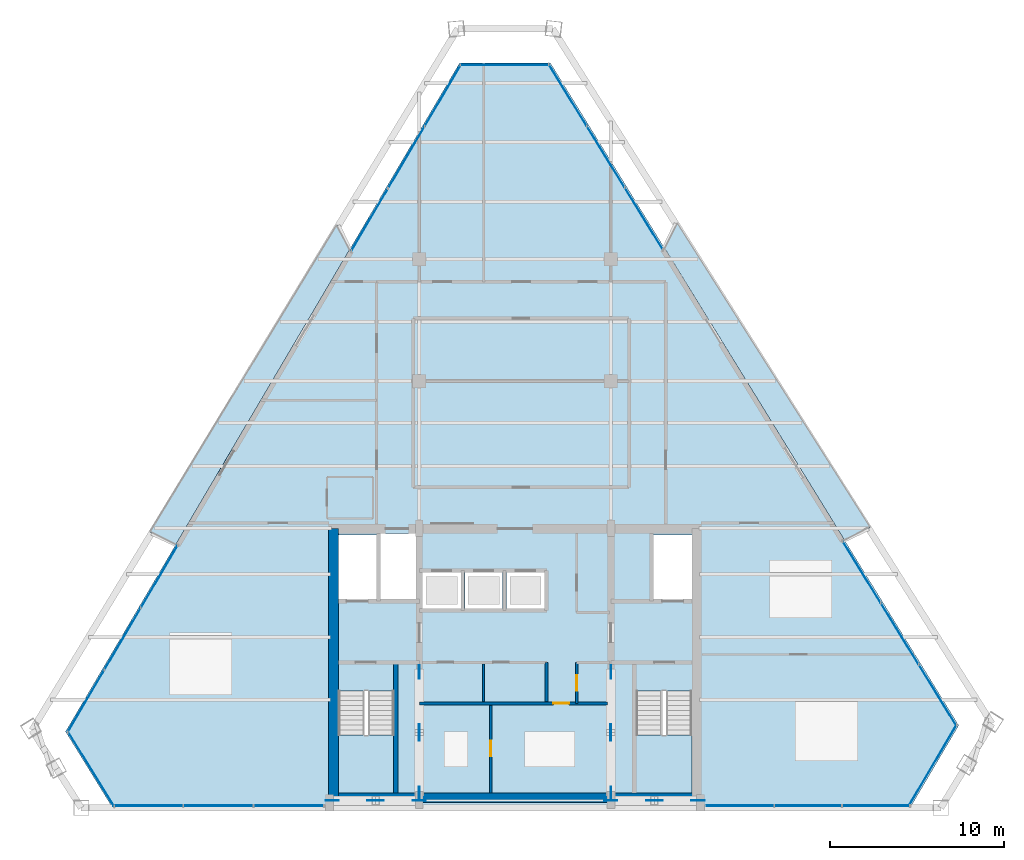
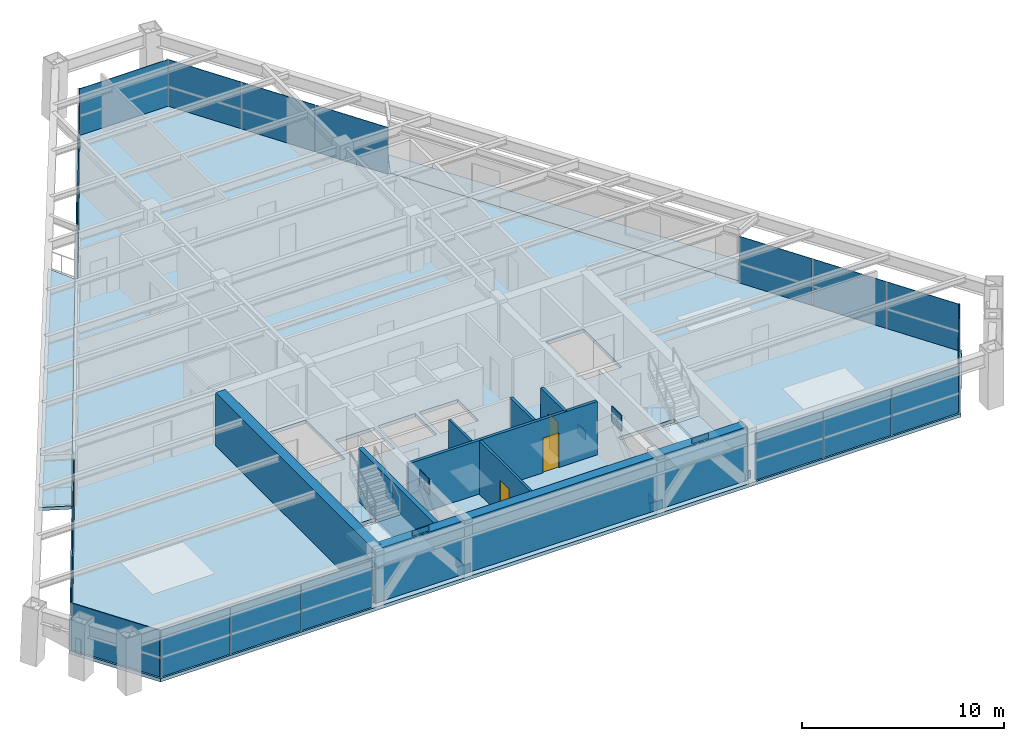
# One storey, part 8 of 14: 33 plates, 8 walls, 5 slabs, 3 doors, 3 openings, 11 elements without a shape of their own.
"""IFC4 building model written with IfcOpenShell, lengths in metres."""

from ifc_helpers import new_model, si_unit, direction, frame, frame_2d, origin, origin_2d, place, context, subcontext, project, spatial, polyline, rectangle, outline, extrude, source, transform, mapped, material, layer, layer_set, type_object, type_shapes, element, fill, aggregate, save


model = new_model("IFC4")

# Units and contexts
model_context = context("Model", 3, precision=1e-05, world=origin(), true_north=direction((0.0, 1.0)))
body_context = subcontext(model_context, "Body", "Model", "MODEL_VIEW")
ifc_project = project(units=[si_unit("LENGTHUNIT", "METRE"), si_unit("AREAUNIT", "SQUARE_METRE"), si_unit("VOLUMEUNIT", "CUBIC_METRE"), si_unit("PLANEANGLEUNIT", "RADIAN"), si_unit("MASSUNIT", "GRAM", prefix="KILO")], contexts=[model_context])

# Site, building, storey
site_placement = place(None, origin())
site = spatial("IfcSite", under=ifc_project, at=site_placement, CompositionType="ELEMENT")
building_placement = place(site_placement, origin())
building = spatial("IfcBuilding", under=site, at=building_placement, Name="Varnakhor Terracotta Tower", CompositionType="ELEMENT")
storey_placement = place(building_placement, frame((0.0, 0.0, 240.699951171875)))
storey = spatial("IfcBuildingStorey", under=building, at=storey_placement, Name="L62", CompositionType="ELEMENT", Elevation=240.699951171875)

# Slab
ifc_material_1 = material(Name="Concrete C40/50", Category="concrete")
ifc_layer_1 = layer(ifc_material_1, 0.2099609375, Name="Concrete C40/50")
ifc_layer_set_1 = layer_set([ifc_layer_1], Name="Concrete C40/50")
slab_type_1 = type_object("IfcSlabType", Name="SLB-HTL-210", PredefinedType="FLOOR", material=ifc_layer_set_1)
slab_1_placement = place(storey_placement, frame((0.0, 0.0, -0.2099609375)))
element("IfcSlab", 1, at=slab_1_placement, inside=storey, type_object=slab_type_1, Name="L62 Structural Floor Slab", PredefinedType="FLOOR", context=body_context, shape_type="SweptSolid", body=[
    extrude(outline(polyline([(-25.8046875, 4.378662109375), (-3.181640625, 42.767333984375), (2.022705078125, 42.767333984375), (25.467041015625, 4.73388671875), (22.67724609375, 0.0), (-23.105712890625, 0.0), (-25.8046875, 4.378662109375)]), holes=[polyline([(-6.949951171875, 0.85009765625), (-6.949951171875, 6.695068359375), (-10.14990234375, 6.695068359375), (-10.14990234375, 0.85009765625), (-6.949951171875, 0.85009765625)]), polyline([(10.14990234375, 0.85009765625), (10.14990234375, 6.695068359375), (6.949951171875, 6.695068359375), (6.949951171875, 0.85009765625), (10.14990234375, 0.85009765625)]), polyline([(-3.10009765625, 11.419921875), (-3.10009765625, 13.52001953125), (-5.300048828125, 13.52001953125), (-5.300048828125, 11.419921875), (-3.10009765625, 11.419921875)]), polyline([(-0.719970703125, 11.419921875), (-0.719970703125, 13.52001953125), (-2.8798828125, 13.52001953125), (-2.8798828125, 11.419921875), (-0.719970703125, 11.419921875)]), polyline([(1.699951171875, 11.419921875), (1.699951171875, 13.52001953125), (-0.5, 13.52001953125), (-0.5, 11.419921875), (1.699951171875, 11.419921875)]), polyline([(-7.949951171875, 11.8798828125), (-7.949951171875, 15.64990234375), (-10.14990234375, 15.64990234375), (-10.14990234375, 11.8798828125), (-7.949951171875, 11.8798828125)]), polyline([(10.14990234375, 11.8798828125), (10.14990234375, 15.64990234375), (7.949951171875, 15.64990234375), (7.949951171875, 11.8798828125), (10.14990234375, 11.8798828125)]), polyline([(-5.699951171875, 11.8798828125), (-5.699951171875, 15.75), (-7.72998046875, 15.75), (-7.72998046875, 11.8798828125), (-5.699951171875, 11.8798828125)])]), origin(), (0.0, 0.0, 1.0), 0.2099609375),
])

# Stair, slab
stair_type = type_object("IfcStairType", Name="STR-CORE-HOTEL-1500", PredefinedType="HALF_TURN_STAIR", material=ifc_material_1)
stair_1_placement = place(storey_placement, origin())
stair_1 = element("IfcStair", 2, at=stair_1_placement, inside=storey, type_object=stair_type, Name="L62 Core Exit Stair ST-1", PredefinedType="HALF_TURN_STAIR")
ifc_layer_2 = layer(ifc_material_1, 0.179931640625, Name="Concrete C40/50")
ifc_layer_set_2 = layer_set([ifc_layer_2], Name="Concrete C40/50")
slab_type_2 = type_object("IfcSlabType", Name="SLB-LANDING-180", PredefinedType="LANDING", material=ifc_layer_set_2)
slab_2_placement = place(storey_placement, frame((0.0, 0.0, 1.525146484375)))
slab_2 = element("IfcSlab", 3, at=slab_2_placement, type_object=slab_type_2, Name="ST-1 landing 1", PredefinedType="LANDING", context=body_context, shape_type="SweptSolid", body=[
    extrude(outline(polyline([(-10.14990234375, 4.18994140625), (-10.14990234375, 0.85009765625), (-6.949951171875, 0.85009765625), (-6.949951171875, 4.18994140625), (-10.14990234375, 4.18994140625)])), origin(), (0.0, 0.0, 1.0), 0.199951171875),
])
aggregate(stair_1, [slab_2])

stair_2_placement = place(storey_placement, origin())
stair_2 = element("IfcStair", 4, at=stair_2_placement, inside=storey, type_object=stair_type, Name="L62 Core Exit Stair ST-2", PredefinedType="HALF_TURN_STAIR")
slab_3_placement = place(storey_placement, frame((0.0, 0.0, 1.525146484375)))
slab_3 = element("IfcSlab", 5, at=slab_3_placement, type_object=slab_type_2, Name="ST-2 landing 1", PredefinedType="LANDING", context=body_context, shape_type="SweptSolid", body=[
    extrude(outline(polyline([(6.949951171875, 4.18994140625), (6.949951171875, 0.85009765625), (10.14990234375, 0.85009765625), (10.14990234375, 4.18994140625), (6.949951171875, 4.18994140625)])), origin(), (0.0, 0.0, 1.0), 0.199951171875),
])
aggregate(stair_2, [slab_3])

# Slabs
ifc_layer_3 = layer(ifc_material_1, 0.195068359375, Name="Concrete C40/50")
ifc_layer_set_3 = layer_set([ifc_layer_3], Name="Concrete C40/50")
slab_type_3 = type_object("IfcSlabType", Name="SLB-LOGGIA-EXT-195", PredefinedType="FLOOR", material=ifc_layer_set_3)
slab_4_placement = place(storey_placement, frame((0.0, 0.0, -0.195068359375)))
element("IfcSlab", 6, at=slab_4_placement, inside=storey, type_object=slab_type_3, Name="L62 E Recessed Outdoor Loggia Slab", PredefinedType="FLOOR", context=body_context, shape_type="SweptSolid", body=[
    extrude(outline(polyline([(9.286376953125, 33.584716796875), (20.3837890625, 16.085693359375), (18.902587890625, 15.38330078125), (8.587158203125, 32.117919921875), (9.286376953125, 33.584716796875)])), origin(), (0.0, 0.0, 1.0), 0.195068359375),
])
slab_5_placement = place(storey_placement, frame((0.0, 0.0, -0.195068359375)))
element("IfcSlab", 7, at=slab_5_placement, inside=storey, type_object=slab_type_3, Name="L62 W Recessed Outdoor Loggia Slab", PredefinedType="FLOOR", context=body_context, shape_type="SweptSolid", body=[
    extrude(outline(polyline([(-20.96337890625, 15.818115234375), (-10.219970703125, 33.480712890625), (-9.51611328125, 32.0185546875), (-15.705078125, 21.516357421875), (-19.47021484375, 15.12744140625), (-20.96337890625, 15.818115234375)])), origin(), (0.0, 0.0, 1.0), 0.195068359375),
])

# Plates
ifc_material_2 = material(Name="Steel S460", Category="steel")
ifc_layer_4 = layer(ifc_material_2, 0.050048828125, Name="Steel S460")
ifc_layer_set_4 = layer_set([ifc_layer_4], Name="Steel S460")
plate_type_1 = type_object("IfcPlateType", Name="PLT-GUSSET-50", PredefinedType="USERDEFINED", material=ifc_layer_set_4)
shared_shape_1 = source(origin(), body_context, "Body", "SweptSolid", [
    extrude(rectangle(XDim=0.75, YDim=0.0400390625, at=origin_2d()), origin(), (0.0, 0.0, 1.0), 0.550048828125),
])
type_shapes(plate_type_1, [shared_shape_1])
for number, where, z_axis, x_axis, name in (
    (8, (-10.5, 0.419921875, -0.09521484375), (0.0, 0.0, 1.0), (1.0, 0.0, 0.0), "L62 Core Brace Embed Plate CSWA"),
    (9, (-5.5, 0.419921875, -0.09521484375), (0.0, 0.0, 1.0), (1.0, 0.0, 0.0), "L62 Core Brace Embed Plate CSWB"),
    (10, (5.5, 0.419921875, -0.09521484375), (0.0, 0.0, 1.0), (1.0, 0.0, 0.0), "L62 Core Brace Embed Plate CSEA"),
    (11, (10.5, 0.419921875, -0.09521484375), (0.0, 0.0, 1.0), (1.0, 0.0, 0.0), "L62 Core Brace Embed Plate CSEB"),
    (12, (-5.5, 0.85009765625, -0.09521484375), (0.0, 0.0, 1.0), (0.0, 1.0, 0.0), "L62 Core Brace Embed Plate CWWA"),
    (13, (-5.5, 7.800048828125, -0.09521484375), (0.0, 0.0, 1.0), (0.0, 1.0, 0.0), "L62 Core Brace Embed Plate CWWB"),
    (14, (5.5, 0.85009765625, -0.09521484375), (0.0, 0.0, 1.0), (0.0, 1.0, 0.0), "L62 Core Brace Embed Plate CWEA"),
    (15, (5.5, 7.800048828125, -0.09521484375), (0.0, 0.0, 1.0), (0.0, 1.0, 0.0), "L62 Core Brace Embed Plate CWEB"),
):
    element("IfcPlate", number, at=place(storey_placement, frame(where, z_axis=z_axis, x_axis=x_axis)), inside=storey, type_object=plate_type_1, Name=name, ObjectType="GUSSET PLATE", PredefinedType="USERDEFINED", context=body_context, shape_type="MappedRepresentation", body=[
        mapped(shared_shape_1, transform((0.0, 0.0, 0.0), scale=1.0)),
    ])
shared_shape_2 = source(origin(), body_context, "Body", "SweptSolid", [
    extrude(rectangle(XDim=0.949951171875, YDim=0.044921875, at=origin_2d()), origin(), (0.0, 0.0, 1.0), 0.949951171875),
])
for number, where, z_axis, x_axis, name in (
    (16, (-8.0, 0.419921875, 2.615234375), (0.0, 0.0, 1.0), (1.0, 0.0, 0.0), "L62 Core Brace Apex Gusset CSW"),
    (17, (8.0, 0.419921875, 2.615234375), (0.0, 0.0, 1.0), (1.0, 0.0, 0.0), "L62 Core Brace Apex Gusset CSE"),
    (18, (-5.5, 4.324951171875, 2.615234375), (0.0, 0.0, 1.0), (0.0, 1.0, 0.0), "L62 Core Brace Apex Gusset CWW"),
    (19, (5.5, 4.324951171875, 2.615234375), (0.0, 0.0, 1.0), (0.0, 1.0, 0.0), "L62 Core Brace Apex Gusset CWE"),
):
    element("IfcPlate", number, at=place(storey_placement, frame(where, z_axis=z_axis, x_axis=x_axis)), inside=storey, type_object=plate_type_1, Name=name, ObjectType="GUSSET PLATE", PredefinedType="USERDEFINED", context=body_context, shape_type="MappedRepresentation", body=[
        mapped(shared_shape_2, transform((0.0, 0.0, 0.0), scale=1.0)),
    ])

# Curtain wall, plates
ifc_material_3 = material(Name="Anodised Aluminium Curtain Wall System", Category="aluminium")
curtain_wall_type = type_object("IfcCurtainWallType", Name="CW-SYS-HOTEL-LOGGIA", PredefinedType="NOTDEFINED", material=ifc_material_3)
curtain_wall_1_placement = place(storey_placement, origin())
curtain_wall_1 = element("IfcCurtainWall", 20, at=curtain_wall_1_placement, inside=storey, type_object=curtain_wall_type, Name="L62 W Facet Curtain Wall 1", PredefinedType="NOTDEFINED")
ifc_material_4 = material(Name="Solar-Control Low-E Insulated Glass Panel", Category="glass")
ifc_layer_5 = layer(ifc_material_4, 0.033935546875, Name="Solar-Control Low-E Insulated Glass Panel")
ifc_layer_set_5 = layer_set([ifc_layer_5], Name="Solar-Control Low-E Insulated Glass Panel")
plate_type_2 = type_object("IfcPlateType", Name="CWP-04", PredefinedType="CURTAIN_PANEL", material=ifc_layer_set_5)
shared_shape_3 = source(origin(), body_context, "Body", "SweptSolid", [
    extrude(rectangle(XDim=4.098876953125, YDim=0.035888671875, at=origin_2d()), origin(), (0.0, 0.0, 1.0), 2.820068359375),
])
plate_1_placement = place(storey_placement, frame((-24.635498046875, 6.12646484375, 0.0), z_axis=(0.0, 0.0, 1.0), x_axis=(0.507718811017, 0.861522842958, 0.0)))
plate_1 = element("IfcPlate", 21, at=plate_1_placement, type_object=plate_type_2, Name="L62 W Facet Curtain Wall 1 Glazed Panel 1", PredefinedType="CURTAIN_PANEL", context=body_context, shape_type="MappedRepresentation", body=[
    mapped(shared_shape_3, transform((0.0, 0.0, 0.0), scale=1.0)),
])
plate_2_placement = place(storey_placement, frame((-22.5341796875, 9.692138671875, 0.0), z_axis=(0.0, 0.0, 1.0), x_axis=(0.507718811017, 0.861522842958, 0.0)))
plate_2 = element("IfcPlate", 22, at=plate_2_placement, type_object=plate_type_2, Name="L62 W Facet Curtain Wall 1 Glazed Panel 2", PredefinedType="CURTAIN_PANEL", context=body_context, shape_type="MappedRepresentation", body=[
    mapped(shared_shape_3, transform((0.0, 0.0, 0.0), scale=1.0)),
])
plate_3_placement = place(storey_placement, frame((-20.432861328125, 13.2578125, 0.0), z_axis=(0.0, 0.0, 1.0), x_axis=(0.507718811017, 0.861522842958, 0.0)))
plate_3 = element("IfcPlate", 23, at=plate_3_placement, type_object=plate_type_2, Name="L62 W Facet Curtain Wall 1 Glazed Panel 3", PredefinedType="CURTAIN_PANEL", context=body_context, shape_type="MappedRepresentation", body=[
    mapped(shared_shape_3, transform((0.0, 0.0, 0.0), scale=1.0)),
])
aggregate(curtain_wall_1, [plate_1, plate_2, plate_3])

curtain_wall_2_placement = place(storey_placement, origin())
curtain_wall_2 = element("IfcCurtainWall", 24, at=curtain_wall_2_placement, inside=storey, type_object=curtain_wall_type, Name="L62 W Facet Curtain Wall 2", PredefinedType="NOTDEFINED")
plate_4_placement = place(storey_placement, frame((-8.346923828125, 33.76611328125, 0.0), z_axis=(0.0, 0.0, 1.0), x_axis=(0.507718811017, 0.861522842958, 0.0)))
plate_4 = element("IfcPlate", 25, at=plate_4_placement, type_object=plate_type_2, Name="L62 W Facet Curtain Wall 2 Glazed Panel 1", PredefinedType="CURTAIN_PANEL", context=body_context, shape_type="MappedRepresentation", body=[
    mapped(shared_shape_3, transform((0.0, 0.0, 0.0), scale=1.0)),
])
plate_5_placement = place(storey_placement, frame((-6.24560546875, 37.33203125, 0.0), z_axis=(0.0, 0.0, 1.0), x_axis=(0.507718811017, 0.861522842958, 0.0)))
plate_5 = element("IfcPlate", 26, at=plate_5_placement, type_object=plate_type_2, Name="L62 W Facet Curtain Wall 2 Glazed Panel 2", PredefinedType="CURTAIN_PANEL", context=body_context, shape_type="MappedRepresentation", body=[
    mapped(shared_shape_3, transform((0.0, 0.0, 0.0), scale=1.0)),
])
plate_6_placement = place(storey_placement, frame((-4.144287109375, 40.897705078125, 0.0), z_axis=(0.0, 0.0, 1.0), x_axis=(0.507718811017, 0.861522842958, 0.0)))
plate_6 = element("IfcPlate", 27, at=plate_6_placement, type_object=plate_type_2, Name="L62 W Facet Curtain Wall 2 Glazed Panel 3", PredefinedType="CURTAIN_PANEL", context=body_context, shape_type="MappedRepresentation", body=[
    mapped(shared_shape_3, transform((0.0, 0.0, 0.0), scale=1.0)),
])
aggregate(curtain_wall_2, [plate_4, plate_5, plate_6])

# Curtain wall, plate
curtain_wall_3_placement = place(storey_placement, origin())
curtain_wall_3 = element("IfcCurtainWall", 28, at=curtain_wall_3_placement, inside=storey, type_object=curtain_wall_type, Name="L62 Facet Curtain Wall 2", PredefinedType="NOTDEFINED")
shared_shape_4 = source(origin(), body_context, "Body", "SweptSolid", [
    extrude(rectangle(XDim=5.1044921875, YDim=0.035888671875, at=origin_2d()), origin(), (0.0, 0.0, 1.0), 2.820068359375),
])
plate_7_placement = place(storey_placement, frame((-0.57958984375, 42.647216796875, 0.0), z_axis=(0.0, 0.0, 1.0), x_axis=(1.0, 0.0, 0.0)))
plate_7 = element("IfcPlate", 29, at=plate_7_placement, type_object=plate_type_2, Name="L62 Facet Curtain Wall 2 Glazed Panel 1", PredefinedType="CURTAIN_PANEL", context=body_context, shape_type="MappedRepresentation", body=[
    mapped(shared_shape_4, transform((0.0, 0.0, 0.0), scale=1.0)),
])
aggregate(curtain_wall_3, [plate_7])

# Curtain wall, plates
curtain_wall_4_placement = place(storey_placement, origin())
curtain_wall_4 = element("IfcCurtainWall", 30, at=curtain_wall_4_placement, inside=storey, type_object=curtain_wall_type, Name="L62 E Facet Curtain Wall 1", PredefinedType="NOTDEFINED")
shared_shape_5 = source(origin(), body_context, "Body", "SweptSolid", [
    extrude(rectangle(XDim=4.110107421875, YDim=0.035888671875, at=origin_2d()), origin(), (0.0, 0.0, 1.0), 2.820068359375),
])
plate_8_placement = place(storey_placement, frame((3.025146484375, 40.912353515625, 0.0), z_axis=(0.0, 0.0, 1.0), x_axis=(0.524728978323, -0.851269345923, 0.0)))
plate_8 = element("IfcPlate", 31, at=plate_8_placement, type_object=plate_type_2, Name="L62 E Facet Curtain Wall 1 Glazed Panel 1", PredefinedType="CURTAIN_PANEL", context=body_context, shape_type="MappedRepresentation", body=[
    mapped(shared_shape_5, transform((0.0, 0.0, 0.0), scale=1.0)),
])
plate_9_placement = place(storey_placement, frame((5.20263671875, 37.379638671875, 0.0), z_axis=(0.0, 0.0, 1.0), x_axis=(0.524728978323, -0.851269345923, 0.0)))
plate_9 = element("IfcPlate", 32, at=plate_9_placement, type_object=plate_type_2, Name="L62 E Facet Curtain Wall 1 Glazed Panel 2", PredefinedType="CURTAIN_PANEL", context=body_context, shape_type="MappedRepresentation", body=[
    mapped(shared_shape_5, transform((0.0, 0.0, 0.0), scale=1.0)),
])
plate_10_placement = place(storey_placement, frame((7.38037109375, 33.846923828125, 0.0), z_axis=(0.0, 0.0, 1.0), x_axis=(0.524728978323, -0.851269345923, 0.0)))
plate_10 = element("IfcPlate", 33, at=plate_10_placement, type_object=plate_type_2, Name="L62 E Facet Curtain Wall 1 Glazed Panel 3", PredefinedType="CURTAIN_PANEL", context=body_context, shape_type="MappedRepresentation", body=[
    mapped(shared_shape_5, transform((0.0, 0.0, 0.0), scale=1.0)),
])
aggregate(curtain_wall_4, [plate_8, plate_9, plate_10])

curtain_wall_5_placement = place(storey_placement, origin())
curtain_wall_5 = element("IfcCurtainWall", 34, at=curtain_wall_5_placement, inside=storey, type_object=curtain_wall_type, Name="L62 E Facet Curtain Wall 2", PredefinedType="NOTDEFINED")
plate_11_placement = place(storey_placement, frame((22.082763671875, 9.99560546875, 0.0), z_axis=(0.0, 0.0, 1.0), x_axis=(0.524728978323, -0.851269345923, 0.0)))
plate_11 = element("IfcPlate", 35, at=plate_11_placement, type_object=plate_type_2, Name="L62 E Facet Curtain Wall 2 Glazed Panel 2", PredefinedType="CURTAIN_PANEL", context=body_context, shape_type="MappedRepresentation", body=[
    mapped(shared_shape_5, transform((0.0, 0.0, 0.0), scale=1.0)),
])
shared_shape_6 = source(origin(), body_context, "Body", "SweptSolid", [
    extrude(rectangle(XDim=4.10986328125, YDim=0.035888671875, at=origin_2d()), origin(), (0.0, 0.0, 1.0), 2.820068359375),
])
plate_12_placement = place(storey_placement, frame((19.905029296875, 13.5283203125, 0.0), z_axis=(0.0, 0.0, 1.0), x_axis=(0.524728978323, -0.851269345923, 0.0)))
plate_12 = element("IfcPlate", 36, at=plate_12_placement, type_object=plate_type_2, Name="L62 E Facet Curtain Wall 2 Glazed Panel 1", PredefinedType="CURTAIN_PANEL", context=body_context, shape_type="MappedRepresentation", body=[
    mapped(shared_shape_6, transform((0.0, 0.0, 0.0), scale=1.0)),
])
plate_13_placement = place(storey_placement, frame((24.260498046875, 6.462890625, 0.0), z_axis=(0.0, 0.0, 1.0), x_axis=(0.524728978323, -0.851269345923, 0.0)))
plate_13 = element("IfcPlate", 37, at=plate_13_placement, type_object=plate_type_2, Name="L62 E Facet Curtain Wall 2 Glazed Panel 3", PredefinedType="CURTAIN_PANEL", context=body_context, shape_type="MappedRepresentation", body=[
    mapped(shared_shape_6, transform((0.0, 0.0, 0.0), scale=1.0)),
])
aggregate(curtain_wall_5, [plate_12, plate_11, plate_13])

# Curtain wall, plate
curtain_wall_6_placement = place(storey_placement, origin())
curtain_wall_6 = element("IfcCurtainWall", 38, at=curtain_wall_6_placement, inside=storey, type_object=curtain_wall_type, Name="L62 Facet Curtain Wall 4", PredefinedType="NOTDEFINED")
shared_shape_7 = source(origin(), body_context, "Body", "SweptSolid", [
    extrude(rectangle(XDim=5.39501953125, YDim=0.035888671875, at=origin_2d()), origin(), (0.0, 0.0, 1.0), 2.820068359375),
])
plate_14_placement = place(storey_placement, frame((23.96875, 2.427978515625, 0.0), z_axis=(0.0, 0.0, 1.0), x_axis=(-0.507718811017, -0.861522842958, 0.0)))
plate_14 = element("IfcPlate", 39, at=plate_14_placement, type_object=plate_type_2, Name="L62 Facet Curtain Wall 4 Glazed Panel 1", PredefinedType="CURTAIN_PANEL", context=body_context, shape_type="MappedRepresentation", body=[
    mapped(shared_shape_7, transform((0.0, 0.0, 0.0), scale=1.0)),
])
aggregate(curtain_wall_6, [plate_14])

# Curtain wall, plates
curtain_wall_7_placement = place(storey_placement, origin())
curtain_wall_7 = element("IfcCurtainWall", 40, at=curtain_wall_7_placement, inside=storey, type_object=curtain_wall_type, Name="L62 South Wing Curtain Wall SSE", PredefinedType="NOTDEFINED")
shared_shape_8 = source(origin(), body_context, "Body", "SweptSolid", [
    extrude(rectangle(XDim=3.859130859375, YDim=0.035888671875, at=origin_2d()), origin(), (0.0, 0.0, 1.0), 2.820068359375),
])
plate_15_placement = place(storey_placement, frame((20.717529296875, 0.1201171875, 0.0), z_axis=(0.0, 0.0, 1.0), x_axis=(-1.0, 0.0, 0.0)))
plate_15 = element("IfcPlate", 41, at=plate_15_placement, type_object=plate_type_2, Name="L62 South Wing Curtain Wall SSE Glazed Panel 1", PredefinedType="CURTAIN_PANEL", context=body_context, shape_type="MappedRepresentation", body=[
    mapped(shared_shape_8, transform((0.0, 0.0, 0.0), scale=1.0)),
])
plate_16_placement = place(storey_placement, frame((12.919677734375, 0.1201171875, 0.0), z_axis=(0.0, 0.0, 1.0), x_axis=(-1.0, 0.0, 0.0)))
plate_16 = element("IfcPlate", 42, at=plate_16_placement, type_object=plate_type_2, Name="L62 South Wing Curtain Wall SSE Glazed Panel 3", PredefinedType="CURTAIN_PANEL", context=body_context, shape_type="MappedRepresentation", body=[
    mapped(shared_shape_8, transform((0.0, 0.0, 0.0), scale=1.0)),
])
shared_shape_9 = source(origin(), body_context, "Body", "SweptSolid", [
    extrude(rectangle(XDim=3.85888671875, YDim=0.035888671875, at=origin_2d()), origin(), (0.0, 0.0, 1.0), 2.820068359375),
])
plate_17_placement = place(storey_placement, frame((16.818603515625, 0.1201171875, 0.0), z_axis=(0.0, 0.0, 1.0), x_axis=(-1.0, 0.0, 0.0)))
plate_17 = element("IfcPlate", 43, at=plate_17_placement, type_object=plate_type_2, Name="L62 South Wing Curtain Wall SSE Glazed Panel 2", PredefinedType="CURTAIN_PANEL", context=body_context, shape_type="MappedRepresentation", body=[
    mapped(shared_shape_9, transform((0.0, 0.0, 0.0), scale=1.0)),
])
aggregate(curtain_wall_7, [plate_15, plate_17, plate_16])

curtain_wall_8_placement = place(storey_placement, origin())
curtain_wall_8 = element("IfcCurtainWall", 44, at=curtain_wall_8_placement, inside=storey, type_object=curtain_wall_type, Name="L62 South Wing Curtain Wall SSW", PredefinedType="NOTDEFINED")
shared_shape_10 = source(origin(), body_context, "Body", "SweptSolid", [
    extrude(rectangle(XDim=4.001953125, YDim=0.035888671875, at=origin_2d()), origin(), (0.0, 0.0, 1.0), 2.820068359375),
])
plate_18_placement = place(storey_placement, frame((-12.990966796875, 0.1201171875, 0.0), z_axis=(0.0, 0.0, 1.0), x_axis=(-1.0, 0.0, 0.0)))
plate_18 = element("IfcPlate", 45, at=plate_18_placement, type_object=plate_type_2, Name="L62 South Wing Curtain Wall SSW Glazed Panel 1", PredefinedType="CURTAIN_PANEL", context=body_context, shape_type="MappedRepresentation", body=[
    mapped(shared_shape_10, transform((0.0, 0.0, 0.0), scale=1.0)),
])
plate_19_placement = place(storey_placement, frame((-17.032958984375, 0.1201171875, 0.0), z_axis=(0.0, 0.0, 1.0), x_axis=(-1.0, 0.0, 0.0)))
plate_19 = element("IfcPlate", 46, at=plate_19_placement, type_object=plate_type_2, Name="L62 South Wing Curtain Wall SSW Glazed Panel 2", PredefinedType="CURTAIN_PANEL", context=body_context, shape_type="MappedRepresentation", body=[
    mapped(shared_shape_10, transform((0.0, 0.0, 0.0), scale=1.0)),
])
plate_20_placement = place(storey_placement, frame((-21.07470703125, 0.1201171875, 0.0), z_axis=(0.0, 0.0, 1.0), x_axis=(-1.0, 0.0, 0.0)))
plate_20 = element("IfcPlate", 47, at=plate_20_placement, type_object=plate_type_2, Name="L62 South Wing Curtain Wall SSW Glazed Panel 3", PredefinedType="CURTAIN_PANEL", context=body_context, shape_type="MappedRepresentation", body=[
    mapped(shared_shape_10, transform((0.0, 0.0, 0.0), scale=1.0)),
])
aggregate(curtain_wall_8, [plate_18, plate_19, plate_20])

# Curtain wall, plate
curtain_wall_9_placement = place(storey_placement, origin())
curtain_wall_9 = element("IfcCurtainWall", 48, at=curtain_wall_9_placement, inside=storey, type_object=curtain_wall_type, Name="L62 Facet Curtain Wall 6", PredefinedType="NOTDEFINED")
shared_shape_11 = source(origin(), body_context, "Body", "SweptSolid", [
    extrude(rectangle(XDim=5.043701171875, YDim=0.035888671875, at=origin_2d()), origin(), (0.0, 0.0, 1.0), 2.820068359375),
])
plate_21_placement = place(storey_placement, frame((-24.35302734375, 2.252197265625, 0.0), z_axis=(0.0, 0.0, 1.0), x_axis=(-0.524728978323, 0.851269345923, 0.0)))
plate_21 = element("IfcPlate", 49, at=plate_21_placement, type_object=plate_type_2, Name="L62 Facet Curtain Wall 6 Glazed Panel 1", PredefinedType="CURTAIN_PANEL", context=body_context, shape_type="MappedRepresentation", body=[
    mapped(shared_shape_11, transform((0.0, 0.0, 0.0), scale=1.0)),
])
aggregate(curtain_wall_9, [plate_21])

# Walls
ifc_material_5 = material(Name="Concrete C50/60", Category="concrete")
ifc_layer_6 = layer(ifc_material_5, 0.550048828125, Name="Concrete C50/60")
ifc_layer_set_6 = layer_set([ifc_layer_6], Name="Concrete C50/60")
wall_type_1 = type_object("IfcWallType", Name="WAL-CORE-550", PredefinedType="SHEAR", material=ifc_layer_set_6)
wall_1_placement = place(storey_placement, frame((-10.64990234375, 0.574951171875, 0.0), z_axis=(0.0, 0.0, 1.0), x_axis=(1.0, 0.0, 0.0)))
element("IfcWall", 50, at=wall_1_placement, inside=storey, type_object=wall_type_1, Name="L62 South Core Shear Wall", PredefinedType="SHEAR", context=body_context, shape_type="SweptSolid", body=[
    extrude(rectangle(XDim=21.2998046875, YDim=0.550048828125, at=frame_2d((10.64990234375, 0.0))), origin(), (0.0, 0.0, 1.0), 3.239990234375),
])
wall_2_placement = place(storey_placement, frame((-10.425048828125, 0.574951171875, 0.0), z_axis=(0.0, 0.0, 1.0), x_axis=(0.0, 1.0, 0.0)))
element("IfcWall", 51, at=wall_2_placement, inside=storey, type_object=wall_type_1, Name="L62 West Core Shear Wall", PredefinedType="SHEAR", context=body_context, shape_type="SweptSolid", body=[
    extrude(rectangle(XDim=15.449951171875, YDim=0.550048828125, at=frame_2d((7.72509765625, 0.0))), origin(), (0.0, 0.0, 1.0), 3.239990234375),
])
ifc_layer_7 = layer(ifc_material_1, 0.25, Name="Concrete C40/50")
ifc_layer_set_7 = layer_set([ifc_layer_7], Name="Concrete C40/50")
wall_type_2 = type_object("IfcWallType", Name="WAL-SHAFT-250", PredefinedType="SOLIDWALL", material=ifc_layer_set_7)
wall_3_placement = place(storey_placement, frame((-6.85009765625, 0.85009765625, 0.0), z_axis=(0.0, 0.0, 1.0), x_axis=(0.0, 1.0, 0.0)))
element("IfcWall", 52, at=wall_3_placement, inside=storey, type_object=wall_type_2, Name="L62 Stair ST-1 Bearing Shaft Wall", PredefinedType="SOLIDWALL", context=body_context, shape_type="SweptSolid", body=[
    extrude(rectangle(XDim=7.5, YDim=0.25, at=frame_2d((3.75, 0.0))), origin(), (0.0, 0.0, 1.0), 3.239990234375),
])
ifc_material_6 = material(Name="Acoustic Fire-Rated Partition", Category="gypsum")
ifc_layer_8 = layer(ifc_material_6, 0.114990234375, Name="Acoustic Fire-Rated Partition")
ifc_layer_set_8 = layer_set([ifc_layer_8], Name="Acoustic Fire-Rated Partition")
wall_type_3 = type_object("IfcWallType", Name="WAL-TENANCY-115", PredefinedType="PARTITIONING", material=ifc_layer_set_8)
wall_4_placement = place(storey_placement, frame((-1.800048828125, 6.10009765625, 0.0), z_axis=(0.0, 0.0, 1.0), x_axis=(0.0, 1.0, 0.0)))
element("IfcWall", 53, at=wall_4_placement, inside=storey, type_object=wall_type_3, Name="L62 Reclaimed Mid-Core Split Wall", PredefinedType="PARTITIONING", context=body_context, shape_type="SweptSolid", body=[
    extrude(rectangle(XDim=2.14990234375, YDim=0.114990234375, at=frame_2d((1.074951171875, 0.0))), origin(), (0.0, 0.0, 1.0), 3.23193359375),
])

# Wall, opening, door
ifc_layer_9 = layer(ifc_material_6, 0.139892578125, Name="Acoustic Fire-Rated Partition")
ifc_layer_set_9 = layer_set([ifc_layer_9], Name="Acoustic Fire-Rated Partition")
wall_type_4 = type_object("IfcWallType", Name="WAL-TENANCY-140", PredefinedType="PARTITIONING", material=ifc_layer_set_9)
wall_5_placement = place(storey_placement, frame((-1.39990234375, 0.85009765625, 0.0), z_axis=(0.0, 0.0, 1.0), x_axis=(0.0, 1.0, 0.0)))
wall_5 = element("IfcWall", 54, at=wall_5_placement, inside=storey, type_object=wall_type_4, Name="L62 Reclaimed Core Bay Split Wall", PredefinedType="PARTITIONING", context=body_context, shape_type="SweptSolid", body=[
    extrude(rectangle(XDim=5.02978515625, YDim=0.139892578125, at=frame_2d((2.514892578125, 0.0))), origin(), (0.0, 0.0, 1.0), 3.23193359375),
])
opening_1_placement = place(wall_5_placement, frame((2.10009765625, 0.0, 0.0)))
opening_1 = element("IfcOpeningElement", 55, at=opening_1_placement, cuts=wall_5, Name="Opening DR-67", PredefinedType="OPENING", context=body_context, shape_type="SweptSolid", body=[
    extrude(rectangle(XDim=0.89990234375, YDim=2.10009765625, at=frame_2d((0.449951171875, 1.050048828125))), frame((0.0, 0.080078125, 0.0), z_axis=(0.0, -1.0, 0.0), x_axis=(1.0, 0.0, 0.0)), (0.0, 0.0, 1.0), 0.159912109375),
])
ifc_material_7 = material(Name="Steel Service Riser Fire Door", Category="steel")
door_type = type_object("IfcDoorType", Name="DR-RISER-900X2100", OperationType="NOTDEFINED", PredefinedType="DOOR", material=ifc_material_7)
shared_shape_12 = source(origin(), body_context, "Body", "SweptSolid", [
    extrude(rectangle(XDim=0.89990234375, YDim=2.10009765625, at=frame_2d((0.449951171875, 1.050048828125))), frame((0.0, 0.02490234375, 0.0), z_axis=(0.0, -1.0, 0.0), x_axis=(1.0, 0.0, 0.0)), (0.0, 0.0, 1.0), 0.050048828125),
])
type_shapes(door_type, [shared_shape_12])
door_1_placement = place(opening_1_placement, origin())
door_1 = element("IfcDoor", 56, at=door_1_placement, inside=storey, type_object=door_type, Name="L62 Core Inner Service Door", OperationType="SINGLE_SWING_RIGHT", OverallHeight=2.10009765625, OverallWidth=0.89990234375, PredefinedType="DOOR", context=body_context, shape_type="MappedRepresentation", body=[
    mapped(shared_shape_12, transform((0.0, 0.0, 0.0), scale=1.0)),
])
fill(opening_1, door_1)

ifc_layer_10 = layer(ifc_material_6, 0.1650390625, Name="Acoustic Fire-Rated Partition")
ifc_layer_set_10 = layer_set([ifc_layer_10], Name="Acoustic Fire-Rated Partition")
wall_type_5 = type_object("IfcWallType", Name="WAL-TENANCY-165", PredefinedType="PARTITIONING", material=ifc_layer_set_10)
wall_6_placement = place(storey_placement, frame((-5.5, 6.0, 0.0), z_axis=(0.0, 0.0, 1.0), x_axis=(1.0, 0.0, 0.0)))
wall_6 = element("IfcWall", 57, at=wall_6_placement, inside=storey, type_object=wall_type_5, Name="L62 Reclaimed Core Bay North Rated Wall", PredefinedType="PARTITIONING", context=body_context, shape_type="SweptSolid", body=[
    extrude(rectangle(XDim=10.800048828125, YDim=0.1650390625, at=frame_2d((5.39990234375, 0.0))), origin(), (0.0, 0.0, 1.0), 3.23193359375),
])
opening_2_placement = place(wall_6_placement, frame((7.699951171875, 0.0, 0.0)))
opening_2 = element("IfcOpeningElement", 58, at=opening_2_placement, cuts=wall_6, Name="Opening DR-67", PredefinedType="OPENING", context=body_context, shape_type="SweptSolid", body=[
    extrude(rectangle(XDim=0.89990234375, YDim=2.10009765625, at=frame_2d((0.449951171875, 1.050048828125))), frame((0.0, 0.092529296875, 0.0), z_axis=(0.0, -1.0, 0.0), x_axis=(1.0, 0.0, 0.0)), (0.0, 0.0, 1.0), 0.18505859375),
])
door_2_placement = place(opening_2_placement, origin())
door_2 = element("IfcDoor", 59, at=door_2_placement, inside=storey, type_object=door_type, Name="L62 Core Reclaimed Suite Door", OperationType="SINGLE_SWING_LEFT", OverallHeight=2.10009765625, OverallWidth=0.89990234375, PredefinedType="DOOR", context=body_context, shape_type="MappedRepresentation", body=[
    mapped(shared_shape_12, transform((0.0, 0.0, 0.0), scale=1.0)),
])
fill(opening_2, door_2)

wall_7_placement = place(storey_placement, frame((3.5400390625, 6.0, 0.0), z_axis=(0.0, 0.0, 1.0), x_axis=(0.0, 1.0, 0.0)))
wall_7 = element("IfcWall", 60, at=wall_7_placement, inside=storey, type_object=wall_type_5, Name="L62 Accessible WC Rated Wall", PredefinedType="PARTITIONING", context=body_context, shape_type="SweptSolid", body=[
    extrude(rectangle(XDim=2.340087890625, YDim=0.1650390625, at=frame_2d((1.169921875, 0.0))), origin(), (0.0, 0.0, 1.0), 3.23193359375),
])
opening_3_placement = place(wall_7_placement, frame((0.719970703125, 0.0, 0.0)))
opening_3 = element("IfcOpeningElement", 61, at=opening_3_placement, cuts=wall_7, Name="Opening DR-67", PredefinedType="OPENING", context=body_context, shape_type="SweptSolid", body=[
    extrude(rectangle(XDim=0.89990234375, YDim=2.10009765625, at=frame_2d((0.449951171875, 1.050048828125))), frame((0.0, 0.092529296875, 0.0), z_axis=(0.0, -1.0, 0.0), x_axis=(1.0, 0.0, 0.0)), (0.0, 0.0, 1.0), 0.18505859375),
])
door_3_placement = place(opening_3_placement, origin())
door_3 = element("IfcDoor", 62, at=door_3_placement, inside=storey, type_object=door_type, Name="L62 Accessible WC Door", OperationType="SINGLE_SWING_LEFT", OverallHeight=2.10009765625, OverallWidth=0.89990234375, PredefinedType="DOOR", context=body_context, shape_type="MappedRepresentation", body=[
    mapped(shared_shape_12, transform((0.0, 0.0, 0.0), scale=1.0)),
])
fill(opening_3, door_3)

# Wall
wall_8_placement = place(storey_placement, frame((1.800048828125, 6.10009765625, 0.0), z_axis=(0.0, 0.0, 1.0), x_axis=(0.0, 1.0, 0.0)))
element("IfcWall", 63, at=wall_8_placement, inside=storey, type_object=wall_type_5, Name="L62 Reclaimed Mid-Core East Wall", PredefinedType="PARTITIONING", context=body_context, shape_type="SweptSolid", body=[
    extrude(rectangle(XDim=2.25, YDim=0.1650390625, at=frame_2d((1.125, 0.0))), origin(), (0.0, 0.0, 1.0), 3.23193359375),
])

save(model, "model.ifc")
